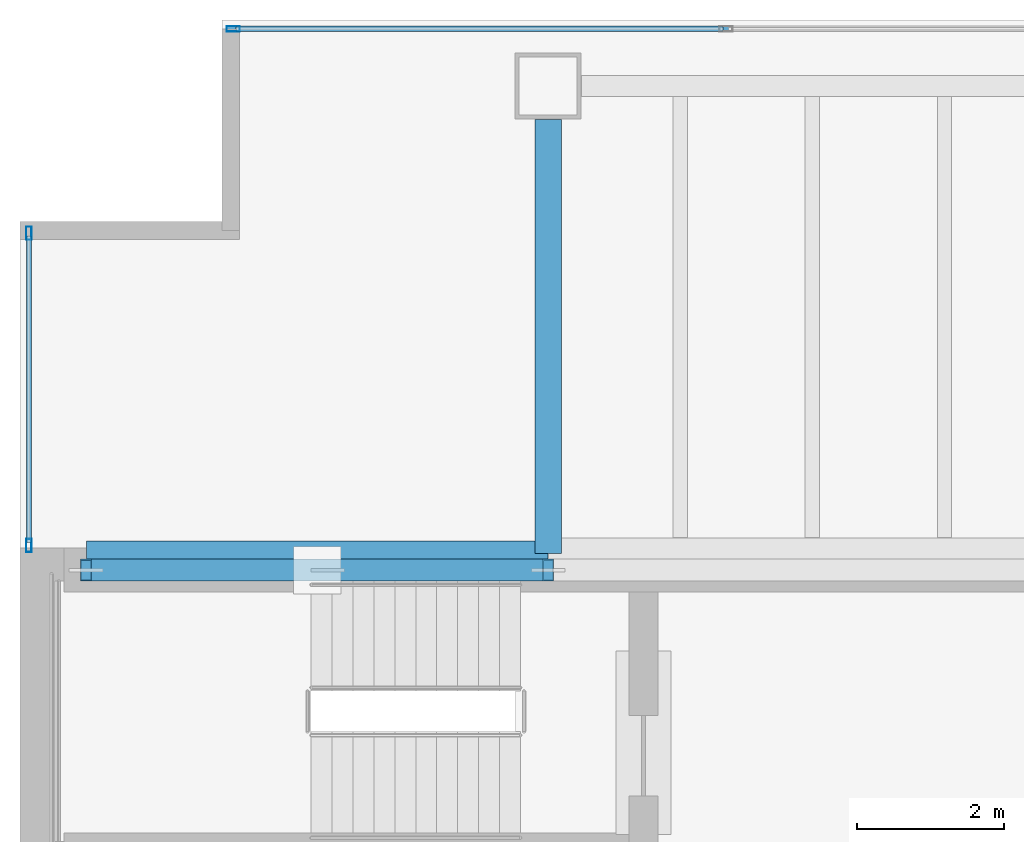
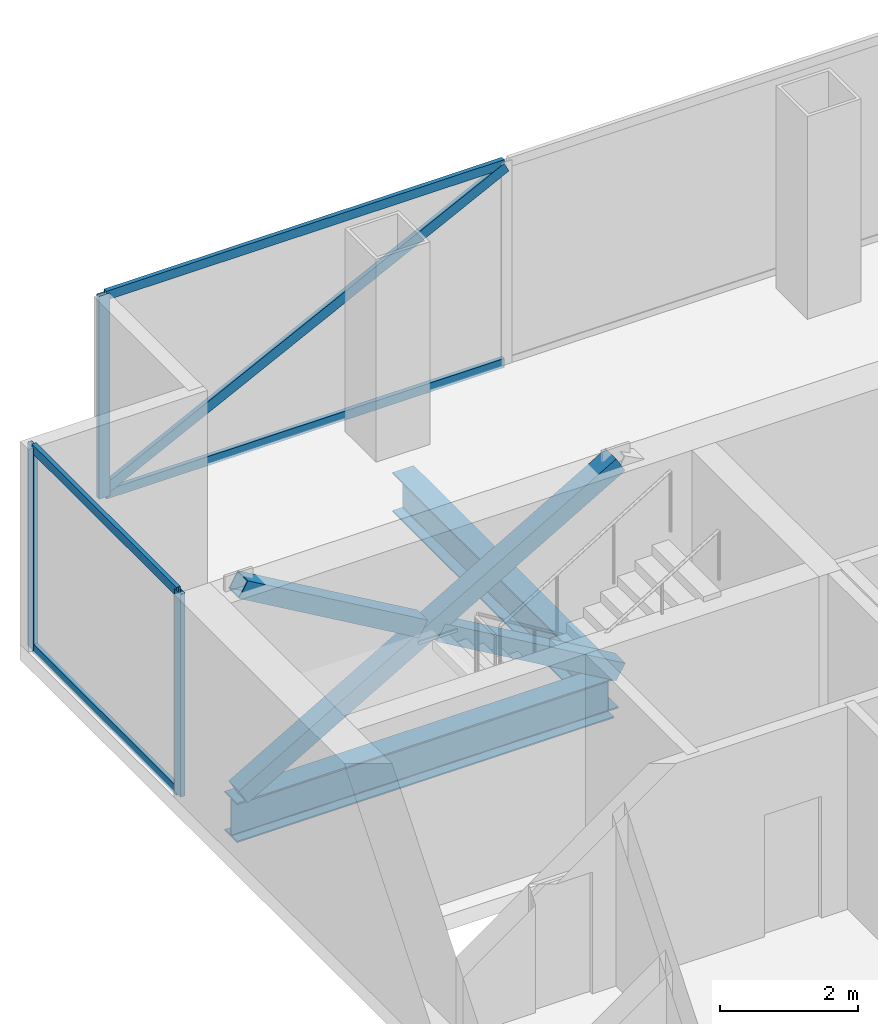
# One storey, part 16 of 23: 11 members, 2 beams, 2 elements without a shape of their own.
"""IFC4 building model written with IfcOpenShell, lengths in metres."""

from ifc_helpers import new_model, si_unit, direction, frame, origin, origin_2d, place, context, subcontext, project, spatial, hollow_rectangle, i_section, extrude, material, material_profile, profile_set, type_object, element, aggregate, save


model = new_model("IFC4")

# Units and contexts
model_context = context("Model", 3, precision=1e-05, world=origin(), true_north=direction((0.0, 1.0)))
body_context = subcontext(model_context, "Body", "Model", "MODEL_VIEW")
ifc_project = project(units=[si_unit("LENGTHUNIT", "METRE"), si_unit("AREAUNIT", "SQUARE_METRE"), si_unit("VOLUMEUNIT", "CUBIC_METRE"), si_unit("PLANEANGLEUNIT", "RADIAN"), si_unit("MASSUNIT", "GRAM", prefix="KILO")], contexts=[model_context])

# Site, building, storey
site_placement = place(None, origin())
site = spatial("IfcSite", under=ifc_project, at=site_placement, CompositionType="ELEMENT")
building_placement = place(site_placement, origin())
building = spatial("IfcBuilding", under=site, at=building_placement, Name="Cobrela Telecom Tower", CompositionType="ELEMENT")
storey_placement = place(building_placement, frame((0.0, 0.0, 125.300048828125)))
storey = spatial("IfcBuildingStorey", under=building, at=storey_placement, Name="L31", CompositionType="ELEMENT", Elevation=125.300048828125)

# Beams
ifc_material_1 = material(Name="Steel ASTM A992 Grade 50", Category="steel")
ifc_material_profile_1 = material_profile(ifc_material_1, i_section(OverallWidth=0.35595703125, OverallDepth=0.696044921875, WebThickness=0.015380859375, FlangeThickness=0.024658203125, FilletRadius=0.01806640625, at=origin_2d()), Name="W27X146")
ifc_profile_set_1 = profile_set([ifc_material_profile_1], Name="Steel ASTM A992 Grade 50")
beam_type = type_object("IfcBeamType", Name="BM-GIRD-05", PredefinedType="USERDEFINED", material=ifc_profile_set_1)
beam_1_placement = place(storey_placement, frame((0.905029296875, 35.919921875, -0.6181640625), z_axis=(1.0, 0.0, 0.0), x_axis=(0.0, 1.0, 0.0)))
element("IfcBeam", 1, at=beam_1_placement, inside=storey, type_object=beam_type, Name="L31 Primary Girder X25", ObjectType="GIRDER", PredefinedType="USERDEFINED", context=body_context, shape_type="SweptSolid", body=[
    extrude(i_section(OverallWidth=0.35595703125, OverallDepth=0.696044921875, WebThickness=0.015380859375, FlangeThickness=0.024658203125, FilletRadius=0.01806640625, at=origin_2d()), origin(), (0.0, 0.0, 1.0), 6.2900390625),
])
beam_2_placement = place(storey_placement, frame((7.199951171875, 35.925048828125, -0.6181640625), z_axis=(0.0, 1.0, 0.0), x_axis=(-1.0, 0.0, 0.0)))
element("IfcBeam", 2, at=beam_2_placement, inside=storey, type_object=beam_type, Name="L31 Primary Girder Y32", ObjectType="GIRDER", PredefinedType="USERDEFINED", context=body_context, shape_type="SweptSolid", body=[
    extrude(i_section(OverallWidth=0.35595703125, OverallDepth=0.696044921875, WebThickness=0.015380859375, FlangeThickness=0.024658203125, FilletRadius=0.01806640625, at=origin_2d()), origin(), (0.0, 0.0, 1.0), 5.919921875),
])

# Curtain wall, members
ifc_material_2 = material(Name="Anodized Bronze Aluminium 6063-T6", Category="aluminium")
curtain_wall_type = type_object("IfcCurtainWallType", Name="CW-SYS-TEL", PredefinedType="USERDEFINED", material=ifc_material_2)
curtain_wall_1_placement = place(storey_placement, origin())
curtain_wall_1 = element("IfcCurtainWall", 3, at=curtain_wall_1_placement, inside=storey, type_object=curtain_wall_type, Name="L31 Unitised Bronze Curtain Wall 04", ObjectType="UNITISED CURTAIN WALL", PredefinedType="USERDEFINED")
ifc_material_profile_2 = material_profile(ifc_material_2, hollow_rectangle(XDim=0.074951171875, YDim=0.179931640625, WallThickness=0.00390625, at=origin_2d()), Name="ALU 75x180x4")
ifc_profile_set_2 = profile_set([ifc_material_profile_2], Name="Anodized Bronze Aluminium 6063-T6")
member_type_1 = type_object("IfcMemberType", Name="CW-SYS-TEL-MUL", PredefinedType="MULLION", material=ifc_profile_set_2)
member_1_placement = place(storey_placement, frame((0.1201171875, 36.03759765625, 0.0), z_axis=(0.0, 0.0, 1.0), x_axis=(-1.0, 0.0, 0.0)))
member_1 = element("IfcMember", 4, at=member_1_placement, type_object=member_type_1, Name="CW-TEL mullion 1", PredefinedType="MULLION", context=body_context, shape_type="SweptSolid", body=[
    extrude(hollow_rectangle(XDim=0.074951171875, YDim=0.179931640625, WallThickness=0.00390625, at=origin_2d()), origin(), (0.0, 0.0, 1.0), 3.579833984375),
])
member_2_placement = place(storey_placement, frame((0.1201171875, 40.29248046875, 0.0), z_axis=(0.0, 0.0, 1.0), x_axis=(-1.0, 0.0, 0.0)))
member_2 = element("IfcMember", 5, at=member_2_placement, type_object=member_type_1, Name="CW-TEL mullion 2", PredefinedType="MULLION", context=body_context, shape_type="SweptSolid", body=[
    extrude(hollow_rectangle(XDim=0.074951171875, YDim=0.179931640625, WallThickness=0.00390625, at=origin_2d()), origin(), (0.0, 0.0, 1.0), 3.579833984375),
])

curtain_wall_2_placement = place(storey_placement, origin())
curtain_wall_2 = element("IfcCurtainWall", 6, at=curtain_wall_2_placement, inside=storey, type_object=curtain_wall_type, Name="L31 Unitised Bronze Curtain Wall 07", ObjectType="UNITISED CURTAIN WALL", PredefinedType="USERDEFINED")
member_3_placement = place(storey_placement, frame((2.907470703125, 43.080078125, 0.0), z_axis=(0.0, 0.0, 1.0), x_axis=(0.0, 1.0, 0.0)))
member_3 = element("IfcMember", 7, at=member_3_placement, type_object=member_type_1, Name="CW-TEL mullion 1", PredefinedType="MULLION", context=body_context, shape_type="SweptSolid", body=[
    extrude(hollow_rectangle(XDim=0.074951171875, YDim=0.179931640625, WallThickness=0.00390625, at=origin_2d()), origin(), (0.0, 0.0, 1.0), 3.579833984375),
])
member_4_placement = place(storey_placement, frame((2.8701171875, 43.080078125, 0.099853515625), z_axis=(0.89423960688, 0.0, 0.447588567198), x_axis=(0.0, 1.0, 0.0)))
member_4 = element("IfcMember", 8, at=member_4_placement, type_object=member_type_1, Name="L31 Faceted Curtain Wall Diagonal Glazing Mullion", PredefinedType="MULLION", context=body_context, shape_type="SweptSolid", body=[
    extrude(hollow_rectangle(XDim=0.074951171875, YDim=0.179931640625, WallThickness=0.00390625, at=origin_2d()), origin(), (0.0, 0.0, 1.0), 7.5517578125),
])

# Member
ifc_material_profile_3 = material_profile(ifc_material_2, hollow_rectangle(XDim=0.070068359375, YDim=0.159912109375, WallThickness=0.00390625, at=origin_2d()), Name="ALU 70x160x4")
ifc_profile_set_3 = profile_set([ifc_material_profile_3], Name="Anodized Bronze Aluminium 6063-T6")
member_type_2 = type_object("IfcMemberType", Name="CW-SYS-TEL-TRN", PredefinedType="USERDEFINED", material=ifc_profile_set_3)
member_5_placement = place(storey_placement, frame((0.1201171875, 36.074951171875, 0.034912109375), z_axis=(0.0, 1.0, 0.0), x_axis=(-1.0, 0.0, 0.0)))
member_5 = element("IfcMember", 9, at=member_5_placement, type_object=member_type_2, Name="CW-TEL transom 1.1", ObjectType="TRANSOM", PredefinedType="USERDEFINED", context=body_context, shape_type="SweptSolid", body=[
    extrude(hollow_rectangle(XDim=0.070068359375, YDim=0.159912109375, WallThickness=0.00390625, at=origin_2d()), origin(), (0.0, 0.0, 1.0), 4.179931640625),
])

member_6_placement = place(storey_placement, frame((0.1201171875, 36.074951171875, 3.544921875), z_axis=(0.0, 1.0, 0.0), x_axis=(-1.0, 0.0, 0.0)))
member_6 = element("IfcMember", 10, at=member_6_placement, type_object=member_type_2, Name="CW-TEL transom 1.2", ObjectType="TRANSOM", PredefinedType="USERDEFINED", context=body_context, shape_type="SweptSolid", body=[
    extrude(hollow_rectangle(XDim=0.070068359375, YDim=0.159912109375, WallThickness=0.00390625, at=origin_2d()), origin(), (0.0, 0.0, 1.0), 4.179931640625),
])

aggregate(curtain_wall_1, [member_1, member_2, member_5, member_6])

member_7_placement = place(storey_placement, frame((2.945068359375, 43.080078125, 0.034912109375), z_axis=(1.0, 0.0, 0.0), x_axis=(0.0, 1.0, 0.0)))
member_7 = element("IfcMember", 11, at=member_7_placement, type_object=member_type_2, Name="CW-TEL transom 1.1", ObjectType="TRANSOM", PredefinedType="USERDEFINED", context=body_context, shape_type="SweptSolid", body=[
    extrude(hollow_rectangle(XDim=0.070068359375, YDim=0.159912109375, WallThickness=0.00390625, at=origin_2d()), origin(), (0.0, 0.0, 1.0), 6.640869140625),
])

member_8_placement = place(storey_placement, frame((2.945068359375, 43.080078125, 3.544921875), z_axis=(1.0, 0.0, 0.0), x_axis=(0.0, 1.0, 0.0)))
member_8 = element("IfcMember", 12, at=member_8_placement, type_object=member_type_2, Name="CW-TEL transom 1.2", ObjectType="TRANSOM", PredefinedType="USERDEFINED", context=body_context, shape_type="SweptSolid", body=[
    extrude(hollow_rectangle(XDim=0.070068359375, YDim=0.159912109375, WallThickness=0.00390625, at=origin_2d()), origin(), (0.0, 0.0, 1.0), 6.640869140625),
])

aggregate(curtain_wall_2, [member_3, member_7, member_8, member_4])

# Members
ifc_material_3 = material(Name="Steel ASTM A572 Grade 50", Category="steel")
ifc_material_profile_4 = material_profile(ifc_material_3, hollow_rectangle(XDim=0.300048828125, YDim=0.300048828125, WallThickness=0.01611328125, at=origin_2d()), Name="HSS 300x300x16")
ifc_profile_set_4 = profile_set([ifc_material_profile_4], Name="Steel ASTM A572 Grade 50")
member_type_3 = type_object("IfcMemberType", Name="MBR-EXO-03", PredefinedType="BRACE", material=ifc_profile_set_4)
member_9_placement = place(storey_placement, frame((0.89990234375, 35.699951171875, -0.0400390625), z_axis=(0.864680500519, 0.0, 0.502322239228), x_axis=(0.0, 1.0, 0.0)))
element("IfcMember", 13, at=member_9_placement, inside=storey, type_object=member_type_3, Name="L31 Core Flange Steel X-Brace Continuous A", PredefinedType="BRACE", context=body_context, shape_type="SweptSolid", body=[
    extrude(hollow_rectangle(XDim=0.300048828125, YDim=0.300048828125, WallThickness=0.01611328125, at=origin_2d()), origin(), (0.0, 0.0, 1.0), 7.285888671875),
])
member_10_placement = place(storey_placement, frame((7.199951171875, 35.699951171875, -0.0400390625), z_axis=(-0.864666885148, 0.0, 0.502345675535), x_axis=(0.0, -1.0, 0.0)))
element("IfcMember", 14, at=member_10_placement, inside=storey, type_object=member_type_3, Name="L31 Core Flange Steel X-Brace Split B1", PredefinedType="BRACE", context=body_context, shape_type="SweptSolid", body=[
    extrude(hollow_rectangle(XDim=0.300048828125, YDim=0.300048828125, WallThickness=0.01611328125, at=origin_2d()), origin(), (0.0, 0.0, 1.0), 3.474853515625),
])
member_11_placement = place(storey_placement, frame((3.90478515625, 35.699951171875, 1.874267578125), z_axis=(-0.864684613256, 0.0, 0.502315159634), x_axis=(0.0, -1.0, 0.0)))
element("IfcMember", 15, at=member_11_placement, inside=storey, type_object=member_type_3, Name="L31 Core Flange Steel X-Brace Split B2", PredefinedType="BRACE", context=body_context, shape_type="SweptSolid", body=[
    extrude(hollow_rectangle(XDim=0.300048828125, YDim=0.300048828125, WallThickness=0.01611328125, at=origin_2d()), origin(), (0.0, 0.0, 1.0), 3.47509765625),
])

save(model, "model.ifc")
